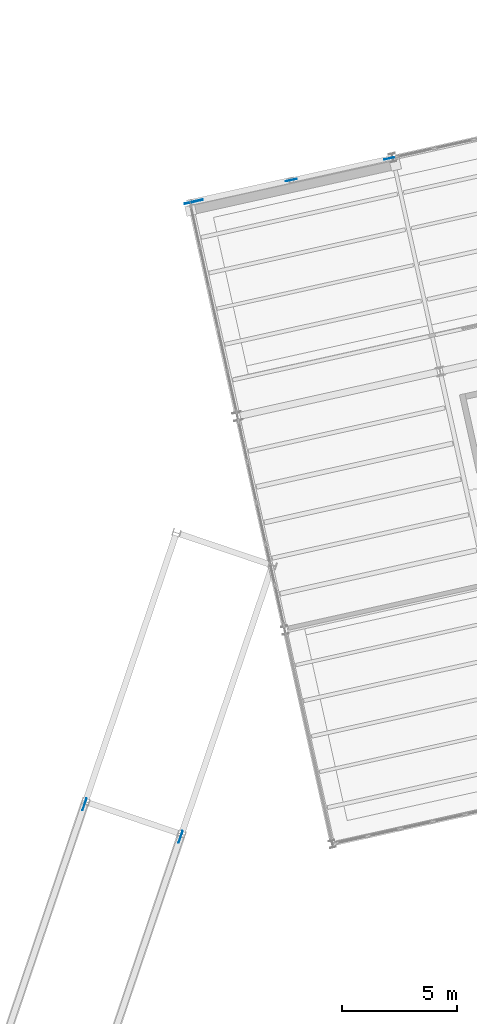
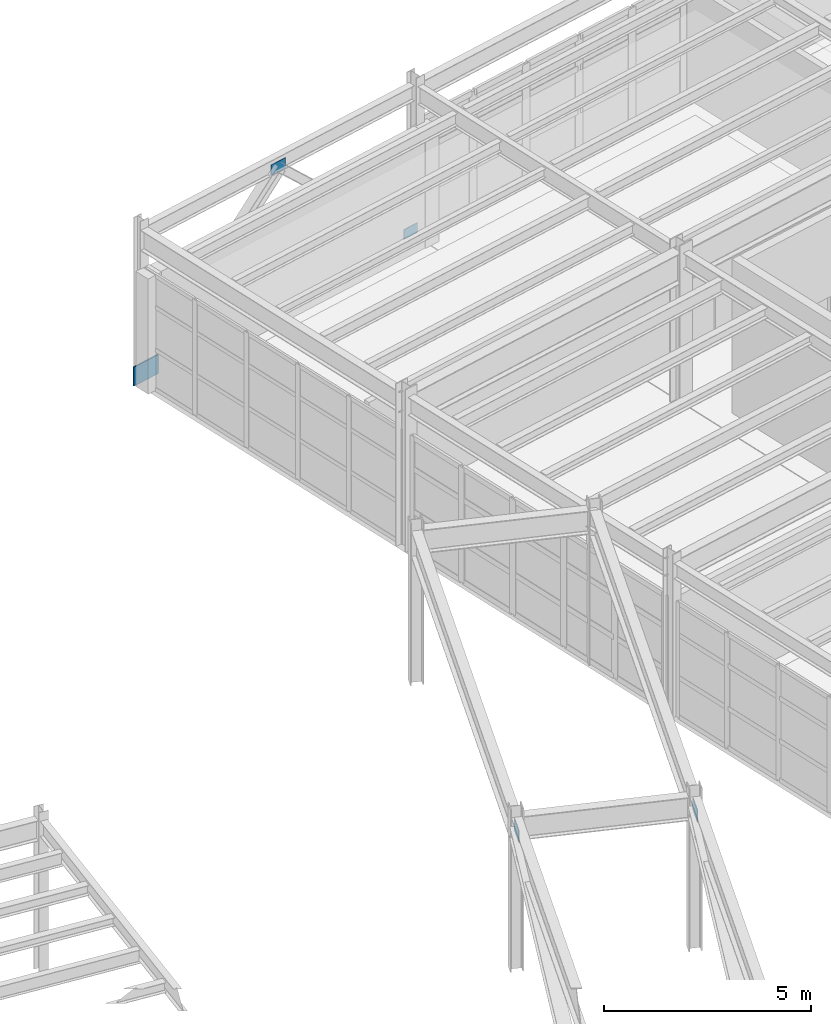
# One storey, part 86 of 109: 5 plates.
"""IFC4 building model written with IfcOpenShell, lengths in metres."""

from ifc_helpers import new_model, si_unit, direction, frame, origin, origin_2d, place, context, subcontext, project, spatial, rectangle, extrude, material, layer, layer_set, type_object, element, save


model = new_model("IFC4")

# Units and contexts
model_context = context("Model", 3, precision=1e-05, world=origin(), true_north=direction((0.0, 1.0)))
body_context = subcontext(model_context, "Body", "Model", "MODEL_VIEW")
ifc_project = project(units=[si_unit("LENGTHUNIT", "METRE"), si_unit("AREAUNIT", "SQUARE_METRE"), si_unit("VOLUMEUNIT", "CUBIC_METRE"), si_unit("PLANEANGLEUNIT", "RADIAN"), si_unit("MASSUNIT", "GRAM", prefix="KILO")], contexts=[model_context])

# Site, building, storey
site_placement = place(None, origin())
site = spatial("IfcSite", under=ifc_project, at=site_placement, CompositionType="ELEMENT")
building_placement = place(site_placement, origin())
building = spatial("IfcBuilding", under=site, at=building_placement, Name="Vireo Bluff Cable Station", CompositionType="ELEMENT")
storey_placement = place(building_placement, frame((0.0, 0.0, 4.800048828125)))
storey = spatial("IfcBuildingStorey", under=building, at=storey_placement, Name="L01", CompositionType="ELEMENT", Elevation=4.800048828125)

# Plates
ifc_material = material(Name="Steel ASTM A572 Gr. 50", Category="steel")
ifc_layer_1 = layer(ifc_material, 0.01708984375, Name="Steel ASTM A572 Gr. 50")
ifc_layer_set_1 = layer_set([ifc_layer_1], Name="Steel ASTM A572 Gr. 50")
plate_type_1 = type_object("IfcPlateType", Name="GUSSET-440X290X17", PredefinedType="USERDEFINED", material=ifc_layer_set_1)
plate_1_placement = place(storey_placement, frame((128.4619140625, 103.73779296875, 0.074951171875), z_axis=(0.0, 0.0, 1.0), x_axis=(0.97629600712, 0.216439613938, 0.0)))
element("IfcPlate", 1, at=plate_1_placement, inside=storey, type_object=plate_type_1, Name="V2 L01 brace base gusset plate 90", ObjectType="GUSSET PLATE", PredefinedType="USERDEFINED", context=body_context, shape_type="SweptSolid", body=[
    extrude(rectangle(XDim=0.43994140625, YDim=0.01708984375, at=origin_2d()), origin(), (0.0, 0.0, 1.0), 0.2900390625),
])
ifc_layer_2 = layer(ifc_material, 0.01904296875, Name="Steel ASTM A572 Gr. 50")
ifc_layer_set_2 = layer_set([ifc_layer_2], Name="Steel ASTM A572 Gr. 50")
plate_type_2 = type_object("IfcPlateType", Name="GUSSET-480X310X19", PredefinedType="USERDEFINED", material=ifc_layer_set_2)
plate_2_placement = place(storey_placement, frame((124.224853515625, 102.79833984375, 4.02490234375), z_axis=(0.0, 0.0, 1.0), x_axis=(0.97629600712, 0.216439613938, 0.0)))
element("IfcPlate", 2, at=plate_2_placement, inside=storey, type_object=plate_type_2, Name="V2 L01 chevron gusset plate 91", ObjectType="GUSSET PLATE", PredefinedType="USERDEFINED", context=body_context, shape_type="SweptSolid", body=[
    extrude(rectangle(XDim=0.47998046875, YDim=0.01904296875, at=origin_2d()), origin(), (0.0, 0.0, 1.0), 0.31005859375),
])
ifc_layer_3 = layer(ifc_material, 0.02197265625, Name="Steel ASTM A572 Gr. 50")
ifc_layer_set_3 = layer_set([ifc_layer_3], Name="Steel ASTM A572 Gr. 50")
plate_type_3 = type_object("IfcPlateType", Name="GUSSET-540X360X22", PredefinedType="USERDEFINED", material=ifc_layer_set_3)
for number, where, z_axis, x_axis, name in (
    (3, (119.4208984375, 74.30517578125, 3.9697265625), (0.0, 0.0, 1.0), (0.32035190998, 0.947298608556, 0.0), "HAUL-DRIVE skybridge strut end plate 2LB"),
    (4, (115.2529296875, 75.71484375, 3.9697265625), (0.0, 0.0, 1.0), (0.32035190998, 0.947298608556, 0.0), "HAUL-DRIVE skybridge strut end plate 2RB"),
):
    element("IfcPlate", number, at=place(storey_placement, frame(where, z_axis=z_axis, x_axis=x_axis)), inside=storey, type_object=plate_type_3, Name=name, ObjectType="GUSSET PLATE", PredefinedType="USERDEFINED", context=body_context, shape_type="SweptSolid", body=[
        extrude(rectangle(XDim=0.5400390625, YDim=0.02197265625, at=origin_2d()), origin(), (0.0, 0.0, 1.0), 0.360107421875),
    ])
ifc_layer_4 = layer(ifc_material, 0.034912109375, Name="Steel ASTM A572 Gr. 50")
ifc_layer_set_4 = layer_set([ifc_layer_4], Name="Steel ASTM A572 Gr. 50")
plate_type_4 = type_object("IfcPlateType", Name="GUSSET-800X560X35", PredefinedType="USERDEFINED", material=ifc_layer_set_4)
plate_3_placement = place(storey_placement, frame((119.98779296875, 101.859130859375, -0.06005859375), z_axis=(0.0, 0.0, 1.0), x_axis=(0.97629600712, 0.216439613938, 0.0)))
element("IfcPlate", 5, at=plate_3_placement, inside=storey, type_object=plate_type_4, Name="V2 L01 brace base gusset plate 89", ObjectType="GUSSET PLATE", PredefinedType="USERDEFINED", context=body_context, shape_type="SweptSolid", body=[
    extrude(rectangle(XDim=0.800048828125, YDim=0.034912109375, at=origin_2d()), origin(), (0.0, 0.0, 1.0), 0.56005859375),
])

save(model, "model.ifc")
